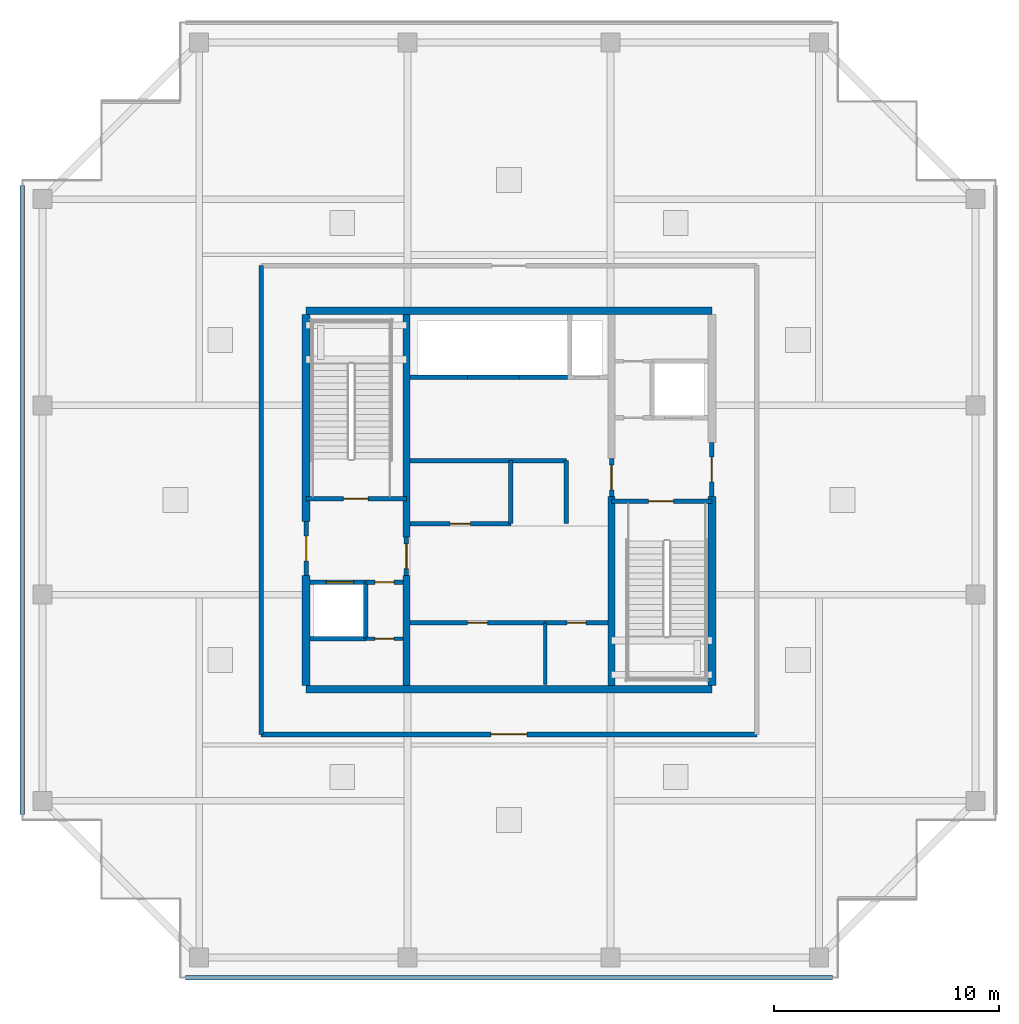
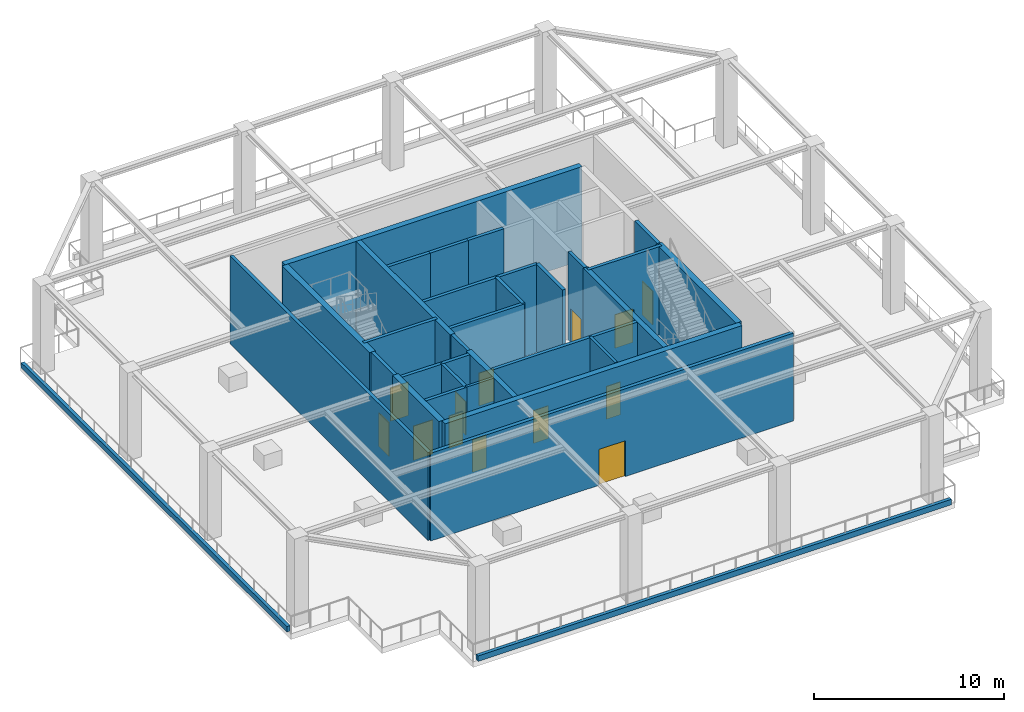
# One storey, part 2 of 10: 33 walls, 13 doors, 13 openings.
"""IFC4 building model written with IfcOpenShell, lengths in metres."""

from ifc_helpers import new_model, si_unit, direction, frame, frame_2d, origin, place, context, subcontext, project, spatial, rectangle, extrude, source, transform, mapped, material, layer, layer_set, type_object, element, fill, save


model = new_model("IFC4")

# Units and contexts
model_context = context("Model", 3, precision=1e-05, world=origin(), true_north=direction((0.0, 1.0)))
body_context = subcontext(model_context, "Body", "Model", "MODEL_VIEW")
ifc_project = project(units=[si_unit("LENGTHUNIT", "METRE"), si_unit("AREAUNIT", "SQUARE_METRE"), si_unit("VOLUMEUNIT", "CUBIC_METRE"), si_unit("PLANEANGLEUNIT", "RADIAN"), si_unit("MASSUNIT", "GRAM", prefix="KILO")], contexts=[model_context])

# Site, building, storey
site_placement = place(None, origin())
site = spatial("IfcSite", under=ifc_project, at=site_placement, CompositionType="ELEMENT")
building_placement = place(site_placement, origin())
building = spatial("IfcBuilding", under=site, at=building_placement, Name="Serunith Strait Residences", CompositionType="ELEMENT")
storey_placement = place(building_placement, frame((0.0, 0.0, 359.75)))
storey = spatial("IfcBuildingStorey", under=building, at=storey_placement, Name="L88", CompositionType="ELEMENT", Elevation=359.75)

# Wall, opening, door
ifc_material_1 = material(Name="Pale-Champagne Aluminium Insulated Panel", Category="aluminium")
ifc_layer_1 = layer(ifc_material_1, 0.219970703125, Name="Pale-Champagne Aluminium Insulated Panel")
ifc_layer_set_1 = layer_set([ifc_layer_1], Name="Pale-Champagne Aluminium Insulated Panel")
wall_type_1 = type_object("IfcWallType", Name="EW-ALUM-220", PredefinedType="ELEMENTEDWALL", material=ifc_layer_set_1)
wall_1_placement = place(storey_placement, frame((21.39990234375, 14.800048828125, 0.0), z_axis=(0.0, 0.0, 1.0), x_axis=(1.0, 0.0, 0.0)))
wall_1 = element("IfcWall", 1, at=wall_1_placement, inside=storey, type_object=wall_type_1, Name="L88 Sky-Garden Conservatory Threshold Wall", PredefinedType="ELEMENTEDWALL", context=body_context, shape_type="SweptSolid", body=[
    extrude(rectangle(XDim=22.0, YDim=0.219970703125, at=frame_2d((11.0, 0.0))), origin(), (0.0, 0.0, 1.0), 5.625),
])
opening_1_placement = place(wall_1_placement, frame((10.199951171875, 0.0, 0.0)))
opening_1 = element("IfcOpeningElement", 2, at=opening_1_placement, cuts=wall_1, Name="Opening ED-06", PredefinedType="OPENING", context=body_context, shape_type="SweptSolid", body=[
    extrude(rectangle(XDim=1.60009765625, YDim=2.300048828125, at=frame_2d((0.800048828125, 1.14990234375))), frame((0.0, 0.1201171875, 0.0), z_axis=(0.0, -1.0, 0.0), x_axis=(1.0, 0.0, 0.0)), (0.0, 0.0, 1.0), 0.239990234375),
])
ifc_material_2 = material(Name="Aluminium Sky-Garden Terrace Double Door", Category="aluminium")
door_type_1 = type_object("IfcDoorType", Name="ED-SKYG-1600", OperationType="NOTDEFINED", PredefinedType="DOOR", material=ifc_material_2)
shared_shape_1 = source(origin(), body_context, "Body", "SweptSolid", [
    extrude(rectangle(XDim=1.60009765625, YDim=2.300048828125, at=frame_2d((0.800048828125, 1.14990234375))), frame((0.0, 0.02490234375, 0.0), z_axis=(0.0, -1.0, 0.0), x_axis=(1.0, 0.0, 0.0)), (0.0, 0.0, 1.0), 0.050048828125),
])
door_1_placement = place(opening_1_placement, origin())
door_1 = element("IfcDoor", 3, at=door_1_placement, inside=storey, type_object=door_type_1, Name="Sky-Garden Terrace Access Double Door", OperationType="DOUBLE_DOOR_SINGLE_SWING", OverallHeight=2.300048828125, OverallWidth=1.60009765625, PredefinedType="DOOR", context=body_context, shape_type="MappedRepresentation", body=[
    mapped(shared_shape_1, transform((0.0, 0.0, 0.0), scale=1.0)),
])
fill(opening_1, door_1)

# Walls
ifc_material_3 = material(Name="Concrete C50/60", Category="concrete")
ifc_layer_2 = layer(ifc_material_3, 0.199951171875, Name="Concrete C50/60")
ifc_layer_set_2 = layer_set([ifc_layer_2], Name="Concrete C50/60")
wall_type_2 = type_object("IfcWallType", Name="EW-PARAPET-200", PredefinedType="PARAPET", material=ifc_layer_set_2)
wall_2_placement = place(storey_placement, frame((18.050048828125, 4.0, 0.0), z_axis=(0.0, 0.0, 1.0), x_axis=(1.0, 0.0, 0.0)))
element("IfcWall", 4, at=wall_2_placement, inside=storey, type_object=wall_type_2, Name="Sky-Garden Planter Curb Parapet 1", PredefinedType="PARAPET", context=body_context, shape_type="SweptSolid", body=[
    extrude(rectangle(XDim=28.699951171875, YDim=0.199951171875, at=frame_2d((14.35009765625, 0.0))), origin(), (0.0, 0.0, 1.0), 0.35009765625),
])
wall_3_placement = place(storey_placement, frame((10.800048828125, 39.14990234375, 0.0), z_axis=(0.0, 0.0, 1.0), x_axis=(0.0, -1.0, 0.0)))
element("IfcWall", 5, at=wall_3_placement, inside=storey, type_object=wall_type_2, Name="Sky-Garden Planter Curb Parapet 4", PredefinedType="PARAPET", context=body_context, shape_type="SweptSolid", body=[
    extrude(rectangle(XDim=27.89990234375, YDim=0.199951171875, at=frame_2d((13.949951171875, 0.0))), origin(), (0.0, 0.0, 1.0), 0.35009765625),
])

# Wall, opening, door
ifc_material_4 = material(Name="Fire-rated masonry service closet wall", Category="masonry")
ifc_layer_3 = layer(ifc_material_4, 0.14990234375, Name="Fire-rated masonry service closet wall")
ifc_layer_set_3 = layer_set([ifc_layer_3], Name="Fire-rated masonry service closet wall")
wall_type_3 = type_object("IfcWallType", Name="IW-BOH-150", PredefinedType="PARTITIONING", material=ifc_layer_set_3)
wall_4_placement = place(storey_placement, frame((26.052001953125, 19.050048828125, 0.0), z_axis=(0.0, 0.0, 1.0), x_axis=(1.0, 0.0, 0.0)))
wall_4 = element("IfcWall", 6, at=wall_4_placement, inside=storey, type_object=wall_type_3, Name="L88 Partition Wall 011", PredefinedType="PARTITIONING", context=body_context, shape_type="SweptSolid", body=[
    extrude(rectangle(XDim=1.64794921875, YDim=0.14990234375, at=frame_2d((0.823974609375, 0.0))), origin(), (0.0, 0.0, 1.0), 5.639892578125),
])
opening_2_placement = place(wall_4_placement, frame((0.39892578125, 0.0, 0.0)))
opening_2 = element("IfcOpeningElement", 7, at=opening_2_placement, cuts=wall_4, Name="Opening FD-850", PredefinedType="OPENING", context=body_context, shape_type="SweptSolid", body=[
    extrude(rectangle(XDim=0.85009765625, YDim=2.10009765625, at=frame_2d((0.425048828125, 1.050048828125))), frame((0.0, 0.0849609375, 0.0), z_axis=(0.0, -1.0, 0.0), x_axis=(1.0, 0.0, 0.0)), (0.0, 0.0, 1.0), 0.169921875),
])
ifc_material_5 = material(Name="Powder-coated steel service closet door", Category="steel")
door_type_2 = type_object("IfcDoorType", Name="FD-BOH-850", OperationType="NOTDEFINED", PredefinedType="DOOR", material=ifc_material_5)
shared_shape_2 = source(origin(), body_context, "Body", "SweptSolid", [
    extrude(rectangle(XDim=0.85009765625, YDim=2.10009765625, at=frame_2d((0.425048828125, 1.050048828125))), frame((0.0, 0.02490234375, 0.0), z_axis=(0.0, -1.0, 0.0), x_axis=(1.0, 0.0, 0.0)), (0.0, 0.0, 1.0), 0.050048828125),
])
door_2_placement = place(opening_2_placement, origin())
door_2 = element("IfcDoor", 8, at=door_2_placement, inside=storey, type_object=door_type_2, Name="L88 Water Meter Door", OperationType="SINGLE_SWING_RIGHT", OverallHeight=2.10009765625, OverallWidth=0.85009765625, PredefinedType="DOOR", context=body_context, shape_type="MappedRepresentation", body=[
    mapped(shared_shape_2, transform((0.0, 0.0, 0.0), scale=1.0)),
])
fill(opening_2, door_2)

# Wall
wall_5_placement = place(storey_placement, frame((34.0, 17.02001953125, 0.0), z_axis=(0.0, 0.0, 1.0), x_axis=(0.0, 1.0, 0.0)))
element("IfcWall", 9, at=wall_5_placement, inside=storey, type_object=wall_type_3, Name="L88 Partition Wall 015", PredefinedType="PARTITIONING", context=body_context, shape_type="SweptSolid", body=[
    extrude(rectangle(XDim=2.72998046875, YDim=0.14990234375, at=frame_2d((1.364990234375, 0.0))), origin(), (0.0, 0.0, 1.0), 5.639892578125),
])

# Wall, opening, door
ifc_material_6 = material(Name="Autoclaved aerated concrete blockwork", Category="masonry")
ifc_layer_4 = layer(ifc_material_6, 0.199951171875, Name="Autoclaved aerated concrete blockwork")
ifc_layer_set_4 = layer_set([ifc_layer_4], Name="Autoclaved aerated concrete blockwork")
wall_type_4 = type_object("IfcWallType", Name="IW-SHAFT-200", PredefinedType="STANDARD", material=ifc_layer_set_4)
wall_6_placement = place(storey_placement, frame((23.39990234375, 25.25, 0.0), z_axis=(0.0, 0.0, 1.0), x_axis=(1.0, 0.0, 0.0)))
wall_6 = element("IfcWall", 10, at=wall_6_placement, inside=storey, type_object=wall_type_4, Name="L88 ST-1 South Shaft Wall", PredefinedType="STANDARD", context=body_context, shape_type="SweptSolid", body=[
    extrude(rectangle(XDim=4.4501953125, YDim=0.199951171875, at=frame_2d((2.22509765625, 0.0))), origin(), (0.0, 0.0, 1.0), 5.639892578125),
])
opening_3_placement = place(wall_6_placement, frame((1.64990234375, 0.0, 0.0)))
opening_3 = element("IfcOpeningElement", 11, at=opening_3_placement, cuts=wall_6, Name="Opening FD-1100", PredefinedType="OPENING", context=body_context, shape_type="SweptSolid", body=[
    extrude(rectangle(XDim=1.10009765625, YDim=2.14990234375, at=frame_2d((0.550048828125, 1.074951171875))), frame((0.0, 0.10986328125, 0.0), z_axis=(0.0, -1.0, 0.0), x_axis=(1.0, 0.0, 0.0)), (0.0, 0.0, 1.0), 0.219970703125),
])
ifc_material_7 = material(Name="Galvanised steel fire door leaf", Category="steel")
door_type_3 = type_object("IfcDoorType", Name="FD-STAIR-1100", OperationType="NOTDEFINED", PredefinedType="DOOR", material=ifc_material_7)
shared_shape_3 = source(origin(), body_context, "Body", "SweptSolid", [
    extrude(rectangle(XDim=1.10009765625, YDim=2.14990234375, at=frame_2d((0.550048828125, 1.074951171875))), frame((0.0, 0.02490234375, 0.0), z_axis=(0.0, -1.0, 0.0), x_axis=(1.0, 0.0, 0.0)), (0.0, 0.0, 1.0), 0.050048828125),
])
door_3_placement = place(opening_3_placement, origin())
door_3 = element("IfcDoor", 12, at=door_3_placement, inside=storey, type_object=door_type_3, Name="L88 ST-1 Escape Stair Door", OperationType="SINGLE_SWING_RIGHT", OverallHeight=2.14990234375, OverallWidth=1.10009765625, PredefinedType="DOOR", context=body_context, shape_type="MappedRepresentation", body=[
    mapped(shared_shape_3, transform((0.0, 0.0, 0.0), scale=1.0)),
])
fill(opening_3, door_3)

wall_7_placement = place(storey_placement, frame((36.949951171875, 25.14990234375, 0.0), z_axis=(0.0, 0.0, 1.0), x_axis=(1.0, 0.0, 0.0)))
wall_7 = element("IfcWall", 13, at=wall_7_placement, inside=storey, type_object=wall_type_4, Name="L88 ST-2 North Shaft Wall", PredefinedType="STANDARD", context=body_context, shape_type="SweptSolid", body=[
    extrude(rectangle(XDim=4.449951171875, YDim=0.199951171875, at=frame_2d((2.22509765625, 0.0))), origin(), (0.0, 0.0, 1.0), 5.639892578125),
])
opening_4_placement = place(wall_7_placement, frame((1.64990234375, 0.0, 0.0)))
opening_4 = element("IfcOpeningElement", 14, at=opening_4_placement, cuts=wall_7, Name="Opening FD-1100", PredefinedType="OPENING", context=body_context, shape_type="SweptSolid", body=[
    extrude(rectangle(XDim=1.10009765625, YDim=2.14990234375, at=frame_2d((0.550048828125, 1.074951171875))), frame((0.0, 0.10986328125, 0.0), z_axis=(0.0, -1.0, 0.0), x_axis=(1.0, 0.0, 0.0)), (0.0, 0.0, 1.0), 0.219970703125),
])
door_4_placement = place(opening_4_placement, origin())
door_4 = element("IfcDoor", 15, at=door_4_placement, inside=storey, type_object=door_type_3, Name="L88 ST-2 Escape Stair Door", OperationType="SINGLE_SWING_LEFT", OverallHeight=2.14990234375, OverallWidth=1.10009765625, PredefinedType="DOOR", context=body_context, shape_type="MappedRepresentation", body=[
    mapped(shared_shape_3, transform((0.0, 0.0, 0.0), scale=1.0)),
])
fill(opening_4, door_4)

wall_8_placement = place(storey_placement, frame((23.574951171875, 21.550048828125, 0.0), z_axis=(0.0, 0.0, 1.0), x_axis=(1.0, 0.0, 0.0)))
wall_8 = element("IfcWall", 16, at=wall_8_placement, inside=storey, type_object=wall_type_4, Name="L88 FL-1 North Shaft Wall", PredefinedType="STANDARD", context=body_context, shape_type="SweptSolid", body=[
    extrude(rectangle(XDim=2.47509765625, YDim=0.199951171875, at=frame_2d((1.237548828125, 0.0))), origin(), (0.0, 0.0, 1.0), 5.639892578125),
])
opening_5_placement = place(wall_8_placement, frame((0.72509765625, 0.0, 0.0)))
opening_5 = element("IfcOpeningElement", 17, at=opening_5_placement, cuts=wall_8, Name="Opening LD-FF1200", PredefinedType="OPENING", context=body_context, shape_type="SweptSolid", body=[
    extrude(rectangle(XDim=1.199951171875, YDim=2.199951171875, at=frame_2d((0.60009765625, 1.10009765625))), frame((0.0, 0.10986328125, 0.0), z_axis=(0.0, -1.0, 0.0), x_axis=(1.0, 0.0, 0.0)), (0.0, 0.0, 1.0), 0.219970703125),
])
ifc_material_8 = material(Name="Brushed stainless steel landing door", Category="steel")
door_type_4 = type_object("IfcDoorType", Name="LD-FF-1200", OperationType="DOUBLE_DOOR_SLIDING", PredefinedType="DOOR", material=ifc_material_8)
shared_shape_4 = source(origin(), body_context, "Body", "SweptSolid", [
    extrude(rectangle(XDim=1.199951171875, YDim=2.199951171875, at=frame_2d((0.60009765625, 1.10009765625))), frame((0.0, 0.02490234375, 0.0), z_axis=(0.0, -1.0, 0.0), x_axis=(1.0, 0.0, 0.0)), (0.0, 0.0, 1.0), 0.050048828125),
])
door_5_placement = place(opening_5_placement, origin())
door_5 = element("IfcDoor", 18, at=door_5_placement, inside=storey, type_object=door_type_4, Name="L88 FL-1 Landing Door", OperationType="DOUBLE_DOOR_SLIDING", OverallHeight=2.199951171875, OverallWidth=1.199951171875, PredefinedType="DOOR", context=body_context, shape_type="MappedRepresentation", body=[
    mapped(shared_shape_4, transform((0.0, 0.0, 0.0), scale=1.0)),
])
fill(opening_5, door_5)

# Walls
wall_9_placement = place(storey_placement, frame((28.0, 30.64990234375, 0.0), z_axis=(0.0, 0.0, 1.0), x_axis=(1.0, 0.0, 0.0)))
element("IfcWall", 19, at=wall_9_placement, inside=storey, type_object=wall_type_4, Name="L88 PL-7 South Shaft Wall", PredefinedType="STANDARD", context=body_context, shape_type="SweptSolid", body=[
    extrude(rectangle(XDim=2.550048828125, YDim=0.199951171875, at=frame_2d((1.27490234375, 0.0))), origin(), (0.0, 0.0, 1.0), 5.639892578125),
])
wall_10_placement = place(storey_placement, frame((30.550048828125, 30.64990234375, 0.0), z_axis=(0.0, 0.0, 1.0), x_axis=(1.0, 0.0, 0.0)))
element("IfcWall", 20, at=wall_10_placement, inside=storey, type_object=wall_type_4, Name="L88 PL-8 South Shaft Wall", PredefinedType="STANDARD", context=body_context, shape_type="SweptSolid", body=[
    extrude(rectangle(XDim=2.300048828125, YDim=0.199951171875, at=frame_2d((1.14990234375, 0.0))), origin(), (0.0, 0.0, 1.0), 5.639892578125),
])
wall_11_placement = place(storey_placement, frame((32.85009765625, 30.64990234375, 0.0), z_axis=(0.0, 0.0, 1.0), x_axis=(1.0, 0.0, 0.0)))
element("IfcWall", 21, at=wall_11_placement, inside=storey, type_object=wall_type_4, Name="L88 PL-9 South Shaft Wall", PredefinedType="STANDARD", context=body_context, shape_type="SweptSolid", body=[
    extrude(rectangle(XDim=2.14990234375, YDim=0.199951171875, at=frame_2d((1.074951171875, 0.0))), origin(), (0.0, 0.0, 1.0), 5.639892578125),
])
wall_12_placement = place(storey_placement, frame((26.050048828125, 19.050048828125, 0.0), z_axis=(0.0, 0.0, 1.0), x_axis=(0.0, 1.0, 0.0)))
element("IfcWall", 22, at=wall_12_placement, inside=storey, type_object=wall_type_4, Name="L88 Partition Wall 001", PredefinedType="STANDARD", context=body_context, shape_type="SweptSolid", body=[
    extrude(rectangle(XDim=2.5, YDim=0.199951171875, at=frame_2d((1.25, 0.0))), origin(), (0.0, 0.0, 1.0), 5.639892578125),
])
wall_13_placement = place(storey_placement, frame((23.574951171875, 19.050048828125, 0.0), z_axis=(0.0, 0.0, 1.0), x_axis=(1.0, 0.0, 0.0)))
element("IfcWall", 23, at=wall_13_placement, inside=storey, type_object=wall_type_4, Name="L88 Partition Wall 002", PredefinedType="STANDARD", context=body_context, shape_type="SweptSolid", body=[
    extrude(rectangle(XDim=2.47509765625, YDim=0.199951171875, at=frame_2d((1.237548828125, 0.0))), origin(), (0.0, 0.0, 1.0), 5.639892578125),
])

# Wall, opening, door
wall_14_placement = place(storey_placement, frame((26.052001953125, 21.550048828125, 0.0), z_axis=(0.0, 0.0, 1.0), x_axis=(1.0, 0.0, 0.0)))
wall_14 = element("IfcWall", 24, at=wall_14_placement, inside=storey, type_object=wall_type_4, Name="L88 Partition Wall 003", PredefinedType="STANDARD", context=body_context, shape_type="SweptSolid", body=[
    extrude(rectangle(XDim=1.64794921875, YDim=0.199951171875, at=frame_2d((0.823974609375, 0.0))), origin(), (0.0, 0.0, 1.0), 5.639892578125),
])
opening_6_placement = place(wall_14_placement, frame((0.39892578125, 0.0, 0.0)))
opening_6 = element("IfcOpeningElement", 25, at=opening_6_placement, cuts=wall_14, Name="Opening FD-850", PredefinedType="OPENING", context=body_context, shape_type="SweptSolid", body=[
    extrude(rectangle(XDim=0.85009765625, YDim=2.10009765625, at=frame_2d((0.425048828125, 1.050048828125))), frame((0.0, 0.10986328125, 0.0), z_axis=(0.0, -1.0, 0.0), x_axis=(1.0, 0.0, 0.0)), (0.0, 0.0, 1.0), 0.219970703125),
])
door_6_placement = place(opening_6_placement, origin())
door_6 = element("IfcDoor", 26, at=door_6_placement, inside=storey, type_object=door_type_2, Name="L88 South-West Core Service Door", OperationType="SINGLE_SWING_RIGHT", OverallHeight=2.10009765625, OverallWidth=0.85009765625, PredefinedType="DOOR", context=body_context, shape_type="MappedRepresentation", body=[
    mapped(shared_shape_2, transform((0.0, 0.0, 0.0), scale=1.0)),
])
fill(opening_6, door_6)

wall_15_placement = place(storey_placement, frame((23.39990234375, 21.85205078125, 0.0), z_axis=(0.0, 0.0, 1.0), x_axis=(0.0, 1.0, 0.0)))
wall_15 = element("IfcWall", 27, at=wall_15_placement, inside=storey, type_object=wall_type_4, Name="L88 Partition Wall 007", PredefinedType="STANDARD", context=body_context, shape_type="SweptSolid", body=[
    extrude(rectangle(XDim=2.39599609375, YDim=0.199951171875, at=frame_2d((1.197998046875, 0.0))), origin(), (0.0, 0.0, 1.0), 5.639892578125),
])
opening_7_placement = place(wall_15_placement, frame((0.64794921875, 0.0, 0.0)))
opening_7 = element("IfcOpeningElement", 28, at=opening_7_placement, cuts=wall_15, Name="Opening FD-FFL", PredefinedType="OPENING", context=body_context, shape_type="SweptSolid", body=[
    extrude(rectangle(XDim=1.10009765625, YDim=2.14990234375, at=frame_2d((0.550048828125, 1.074951171875))), frame((0.0, 0.10986328125, 0.0), z_axis=(0.0, -1.0, 0.0), x_axis=(1.0, 0.0, 0.0)), (0.0, 0.0, 1.0), 0.219970703125),
])
ifc_material_9 = material(Name="Glazed steel smoke-lobby fire door", Category="steel")
door_type_5 = type_object("IfcDoorType", Name="FD-FFL-1100", OperationType="NOTDEFINED", PredefinedType="DOOR", material=ifc_material_9)
door_7_placement = place(opening_7_placement, origin())
door_7 = element("IfcDoor", 29, at=door_7_placement, inside=storey, type_object=door_type_5, Name="L88 FFL-1 Corridor Fire Door", OperationType="SINGLE_SWING_RIGHT", OverallHeight=2.14990234375, OverallWidth=1.10009765625, PredefinedType="DOOR", context=body_context, shape_type="MappedRepresentation", body=[
    mapped(shared_shape_3, transform((0.0, 0.0, 0.0), scale=1.0)),
])
fill(opening_7, door_7)

wall_16_placement = place(storey_placement, frame((41.39990234375, 25.35205078125, 0.0), z_axis=(0.0, 0.0, 1.0), x_axis=(0.0, 1.0, 0.0)))
wall_16 = element("IfcWall", 30, at=wall_16_placement, inside=storey, type_object=wall_type_4, Name="L88 Partition Wall 008", PredefinedType="STANDARD", context=body_context, shape_type="SweptSolid", body=[
    extrude(rectangle(XDim=2.39599609375, YDim=0.199951171875, at=frame_2d((1.197998046875, 0.0))), origin(), (0.0, 0.0, 1.0), 5.639892578125),
])
opening_8_placement = place(wall_16_placement, frame((0.64794921875, 0.0, 0.0)))
opening_8 = element("IfcOpeningElement", 31, at=opening_8_placement, cuts=wall_16, Name="Opening FD-FFL", PredefinedType="OPENING", context=body_context, shape_type="SweptSolid", body=[
    extrude(rectangle(XDim=1.10009765625, YDim=2.14990234375, at=frame_2d((0.550048828125, 1.074951171875))), frame((0.0, 0.10986328125, 0.0), z_axis=(0.0, -1.0, 0.0), x_axis=(1.0, 0.0, 0.0)), (0.0, 0.0, 1.0), 0.219970703125),
])
door_8_placement = place(opening_8_placement, origin())
door_8 = element("IfcDoor", 32, at=door_8_placement, inside=storey, type_object=door_type_5, Name="L88 FFL-2 Corridor Fire Door", OperationType="SINGLE_SWING_LEFT", OverallHeight=2.14990234375, OverallWidth=1.10009765625, PredefinedType="DOOR", context=body_context, shape_type="MappedRepresentation", body=[
    mapped(shared_shape_3, transform((0.0, 0.0, 0.0), scale=1.0)),
])
fill(opening_8, door_8)

wall_17_placement = place(storey_placement, frame((27.85009765625, 21.85205078125, 0.0), z_axis=(0.0, 0.0, 1.0), x_axis=(0.0, 1.0, 0.0)))
wall_17 = element("IfcWall", 33, at=wall_17_placement, inside=storey, type_object=wall_type_4, Name="L88 Partition Wall 009", PredefinedType="STANDARD", context=body_context, shape_type="SweptSolid", body=[
    extrude(rectangle(XDim=1.696044921875, YDim=0.199951171875, at=frame_2d((0.84814453125, 0.0))), origin(), (0.0, 0.0, 1.0), 5.639892578125),
])
opening_9_placement = place(wall_17_placement, frame((0.298095703125, 0.0, 0.0)))
opening_9 = element("IfcOpeningElement", 34, at=opening_9_placement, cuts=wall_17, Name="Opening FD-FFL", PredefinedType="OPENING", context=body_context, shape_type="SweptSolid", body=[
    extrude(rectangle(XDim=1.10009765625, YDim=2.14990234375, at=frame_2d((0.550048828125, 1.074951171875))), frame((0.0, 0.10986328125, 0.0), z_axis=(0.0, -1.0, 0.0), x_axis=(1.0, 0.0, 0.0)), (0.0, 0.0, 1.0), 0.219970703125),
])
door_9_placement = place(opening_9_placement, origin())
door_9 = element("IfcDoor", 35, at=door_9_placement, inside=storey, type_object=door_type_5, Name="L88 FFL-1 Lift Lobby Door", OperationType="SINGLE_SWING_RIGHT", OverallHeight=2.14990234375, OverallWidth=1.10009765625, PredefinedType="DOOR", context=body_context, shape_type="MappedRepresentation", body=[
    mapped(shared_shape_3, transform((0.0, 0.0, 0.0), scale=1.0)),
])
fill(opening_9, door_9)

wall_18_placement = place(storey_placement, frame((36.949951171875, 25.35205078125, 0.0), z_axis=(0.0, 0.0, 1.0), x_axis=(0.0, 1.0, 0.0)))
wall_18 = element("IfcWall", 36, at=wall_18_placement, inside=storey, type_object=wall_type_4, Name="L88 Partition Wall 010", PredefinedType="STANDARD", context=body_context, shape_type="SweptSolid", body=[
    extrude(rectangle(XDim=1.696044921875, YDim=0.199951171875, at=frame_2d((0.84814453125, 0.0))), origin(), (0.0, 0.0, 1.0), 5.639892578125),
])
opening_10_placement = place(wall_18_placement, frame((0.298095703125, 0.0, 0.0)))
opening_10 = element("IfcOpeningElement", 37, at=opening_10_placement, cuts=wall_18, Name="Opening FD-FFL", PredefinedType="OPENING", context=body_context, shape_type="SweptSolid", body=[
    extrude(rectangle(XDim=1.10009765625, YDim=2.14990234375, at=frame_2d((0.550048828125, 1.074951171875))), frame((0.0, 0.10986328125, 0.0), z_axis=(0.0, -1.0, 0.0), x_axis=(1.0, 0.0, 0.0)), (0.0, 0.0, 1.0), 0.219970703125),
])
door_10_placement = place(opening_10_placement, origin())
door_10 = element("IfcDoor", 38, at=door_10_placement, inside=storey, type_object=door_type_5, Name="L88 FFL-2 Lift Lobby Door", OperationType="SINGLE_SWING_LEFT", OverallHeight=2.14990234375, OverallWidth=1.10009765625, PredefinedType="DOOR", context=body_context, shape_type="MappedRepresentation", body=[
    mapped(shared_shape_3, transform((0.0, 0.0, 0.0), scale=1.0)),
])
fill(opening_10, door_10)

wall_19_placement = place(storey_placement, frame((28.0, 19.75, 0.0), z_axis=(0.0, 0.0, 1.0), x_axis=(1.0, 0.0, 0.0)))
wall_19 = element("IfcWall", 39, at=wall_19_placement, inside=storey, type_object=wall_type_4, Name="L88 Partition Wall 013", PredefinedType="STANDARD", context=body_context, shape_type="SweptSolid", body=[
    extrude(rectangle(XDim=6.0, YDim=0.199951171875, at=frame_2d((3.0, 0.0))), origin(), (0.0, 0.0, 1.0), 5.639892578125),
])
opening_11_placement = place(wall_19_placement, frame((2.550048828125, 0.0, 0.0)))
opening_11 = element("IfcOpeningElement", 40, at=opening_11_placement, cuts=wall_19, Name="Opening FD-900", PredefinedType="OPENING", context=body_context, shape_type="SweptSolid", body=[
    extrude(rectangle(XDim=0.89990234375, YDim=2.10009765625, at=frame_2d((0.449951171875, 1.050048828125))), frame((0.0, 0.10986328125, 0.0), z_axis=(0.0, -1.0, 0.0), x_axis=(1.0, 0.0, 0.0)), (0.0, 0.0, 1.0), 0.219970703125),
])
ifc_material_10 = material(Name="Powder-coated steel riser door", Category="steel")
door_type_6 = type_object("IfcDoorType", Name="FD-BOH-900", OperationType="NOTDEFINED", PredefinedType="DOOR", material=ifc_material_10)
shared_shape_5 = source(origin(), body_context, "Body", "SweptSolid", [
    extrude(rectangle(XDim=0.89990234375, YDim=2.10009765625, at=frame_2d((0.449951171875, 1.050048828125))), frame((0.0, 0.02490234375, 0.0), z_axis=(0.0, -1.0, 0.0), x_axis=(1.0, 0.0, 0.0)), (0.0, 0.0, 1.0), 0.050048828125),
])
door_11_placement = place(opening_11_placement, origin())
door_11 = element("IfcDoor", 41, at=door_11_placement, inside=storey, type_object=door_type_6, Name="L88 Telecoms Comms Door", OperationType="SINGLE_SWING_RIGHT", OverallHeight=2.10009765625, OverallWidth=0.89990234375, PredefinedType="DOOR", context=body_context, shape_type="MappedRepresentation", body=[
    mapped(shared_shape_5, transform((0.0, 0.0, 0.0), scale=1.0)),
])
fill(opening_11, door_11)

wall_20_placement = place(storey_placement, frame((34.001953125, 19.75, 0.0), z_axis=(0.0, 0.0, 1.0), x_axis=(1.0, 0.0, 0.0)))
wall_20 = element("IfcWall", 42, at=wall_20_placement, inside=storey, type_object=wall_type_4, Name="L88 Partition Wall 014", PredefinedType="STANDARD", context=body_context, shape_type="SweptSolid", body=[
    extrude(rectangle(XDim=2.798095703125, YDim=0.199951171875, at=frame_2d((1.39892578125, 0.0))), origin(), (0.0, 0.0, 1.0), 5.639892578125),
])
opening_12_placement = place(wall_20_placement, frame((0.97412109375, 0.0, 0.0)))
opening_12 = element("IfcOpeningElement", 43, at=opening_12_placement, cuts=wall_20, Name="Opening FD-850", PredefinedType="OPENING", context=body_context, shape_type="SweptSolid", body=[
    extrude(rectangle(XDim=0.85009765625, YDim=2.10009765625, at=frame_2d((0.425048828125, 1.050048828125))), frame((0.0, 0.10986328125, 0.0), z_axis=(0.0, -1.0, 0.0), x_axis=(1.0, 0.0, 0.0)), (0.0, 0.0, 1.0), 0.219970703125),
])
door_12_placement = place(opening_12_placement, origin())
door_12 = element("IfcDoor", 44, at=door_12_placement, inside=storey, type_object=door_type_2, Name="L88 Floor Linen Closet Door", OperationType="SINGLE_SWING_LEFT", OverallHeight=2.10009765625, OverallWidth=0.85009765625, PredefinedType="DOOR", context=body_context, shape_type="MappedRepresentation", body=[
    mapped(shared_shape_2, transform((0.0, 0.0, 0.0), scale=1.0)),
])
fill(opening_12, door_12)

# Walls
wall_21_placement = place(storey_placement, frame((28.0, 26.949951171875, 0.0), z_axis=(0.0, 0.0, 1.0), x_axis=(1.0, 0.0, 0.0)))
element("IfcWall", 45, at=wall_21_placement, inside=storey, type_object=wall_type_4, Name="L88 Partition Wall 016", PredefinedType="STANDARD", context=body_context, shape_type="SweptSolid", body=[
    extrude(rectangle(XDim=6.949951171875, YDim=0.199951171875, at=frame_2d((3.47509765625, 0.0))), origin(), (0.0, 0.0, 1.0), 5.639892578125),
])
wall_22_placement = place(storey_placement, frame((34.949951171875, 24.14990234375, 0.0), z_axis=(0.0, 0.0, 1.0), x_axis=(0.0, 1.0, 0.0)))
element("IfcWall", 46, at=wall_22_placement, inside=storey, type_object=wall_type_4, Name="L88 Partition Wall 017", PredefinedType="STANDARD", context=body_context, shape_type="SweptSolid", body=[
    extrude(rectangle(XDim=2.800048828125, YDim=0.199951171875, at=frame_2d((1.39990234375, 0.0))), origin(), (0.0, 0.0, 1.0), 5.639892578125),
])

# Wall, opening, door
wall_23_placement = place(storey_placement, frame((28.0, 24.14990234375, 0.0), z_axis=(0.0, 0.0, 1.0), x_axis=(1.0, 0.0, 0.0)))
wall_23 = element("IfcWall", 47, at=wall_23_placement, inside=storey, type_object=wall_type_4, Name="L88 Partition Wall 018", PredefinedType="STANDARD", context=body_context, shape_type="SweptSolid", body=[
    extrude(rectangle(XDim=4.47998046875, YDim=0.199951171875, at=frame_2d((2.239990234375, 0.0))), origin(), (0.0, 0.0, 1.0), 5.639892578125),
])
opening_13_placement = place(wall_23_placement, frame((1.7900390625, 0.0, 0.0)))
opening_13 = element("IfcOpeningElement", 48, at=opening_13_placement, cuts=wall_23, Name="Opening FD-900", PredefinedType="OPENING", context=body_context, shape_type="SweptSolid", body=[
    extrude(rectangle(XDim=0.89990234375, YDim=2.10009765625, at=frame_2d((0.449951171875, 1.050048828125))), frame((0.0, 0.10986328125, 0.0), z_axis=(0.0, -1.0, 0.0), x_axis=(1.0, 0.0, 0.0)), (0.0, 0.0, 1.0), 0.219970703125),
])
door_13_placement = place(opening_13_placement, origin())
door_13 = element("IfcDoor", 49, at=door_13_placement, inside=storey, type_object=door_type_6, Name="L88 Equipment Store Door", OperationType="SINGLE_SWING_RIGHT", OverallHeight=2.10009765625, OverallWidth=0.89990234375, PredefinedType="DOOR", context=body_context, shape_type="MappedRepresentation", body=[
    mapped(shared_shape_5, transform((0.0, 0.0, 0.0), scale=1.0)),
])
fill(opening_13, door_13)

# Walls
wall_24_placement = place(storey_placement, frame((32.47998046875, 24.14990234375, 0.0), z_axis=(0.0, 0.0, 1.0), x_axis=(0.0, 1.0, 0.0)))
element("IfcWall", 50, at=wall_24_placement, inside=storey, type_object=wall_type_4, Name="L88 Partition Wall 019", PredefinedType="STANDARD", context=body_context, shape_type="SweptSolid", body=[
    extrude(rectangle(XDim=2.800048828125, YDim=0.199951171875, at=frame_2d((1.39990234375, 0.0))), origin(), (0.0, 0.0, 1.0), 5.639892578125),
])
wall_25_placement = place(storey_placement, frame((21.39990234375, 14.800048828125, 0.0), z_axis=(0.0, 0.0, 1.0), x_axis=(0.0, 1.0, 0.0)))
element("IfcWall", 51, at=wall_25_placement, inside=storey, type_object=wall_type_4, Name="L88 Partition Wall 021", PredefinedType="STANDARD", context=body_context, shape_type="SweptSolid", body=[
    extrude(rectangle(XDim=20.800048828125, YDim=0.199951171875, at=frame_2d((10.39990234375, 0.0))), origin(), (0.0, 0.0, 1.0), 5.639892578125),
])
ifc_material_11 = material(Name="Concrete C60/75", Category="concrete")
ifc_layer_5 = layer(ifc_material_11, 0.300048828125, Name="Concrete C60/75")
ifc_layer_set_5 = layer_set([ifc_layer_5], Name="Concrete C60/75")
wall_type_5 = type_object("IfcWallType", Name="SW-300-C60", PredefinedType="SHEAR", material=ifc_layer_set_5)
wall_26_placement = place(storey_placement, frame((27.85009765625, 16.97509765625, -0.360107421875), z_axis=(0.0, 0.0, 1.0), x_axis=(0.0, 1.0, 0.0)))
element("IfcWall", 52, at=wall_26_placement, inside=storey, type_object=wall_type_5, Name="L88 Core Internal West Web South Pier", PredefinedType="SHEAR", context=body_context, shape_type="SweptSolid", body=[
    extrude(rectangle(XDim=4.875, YDim=0.300048828125, at=frame_2d((2.4375, 0.0))), origin(), (0.0, 0.0, 1.0), 5.998046875),
])
wall_27_placement = place(storey_placement, frame((27.85009765625, 23.550048828125, -0.360107421875), z_axis=(0.0, 0.0, 1.0), x_axis=(0.0, 1.0, 0.0)))
element("IfcWall", 53, at=wall_27_placement, inside=storey, type_object=wall_type_5, Name="L88 Core Internal West Web North Pier", PredefinedType="SHEAR", context=body_context, shape_type="SweptSolid", body=[
    extrude(rectangle(XDim=9.875, YDim=0.300048828125, at=frame_2d((4.9375, 0.0))), origin(), (0.0, 0.0, 1.0), 5.998046875),
])
wall_28_placement = place(storey_placement, frame((36.949951171875, 16.97509765625, -0.360107421875), z_axis=(0.0, 0.0, 1.0), x_axis=(0.0, 1.0, 0.0)))
element("IfcWall", 54, at=wall_28_placement, inside=storey, type_object=wall_type_5, Name="L88 Core Internal East Web South Pier", PredefinedType="SHEAR", context=body_context, shape_type="SweptSolid", body=[
    extrude(rectangle(XDim=8.375, YDim=0.300048828125, at=frame_2d((4.1875, 0.0))), origin(), (0.0, 0.0, 1.0), 5.998046875),
])
ifc_layer_6 = layer(ifc_material_11, 0.35009765625, Name="Concrete C60/75")
ifc_layer_set_6 = layer_set([ifc_layer_6], Name="Concrete C60/75")
wall_type_6 = type_object("IfcWallType", Name="SW-350-C60", PredefinedType="SHEAR", material=ifc_layer_set_6)
for number, where, z_axis, x_axis, name in (
    (55, (23.39990234375, 16.800048828125, -0.360107421875), (0.0, 0.0, 1.0), (1.0, 0.0, 0.0), "L88 Core South Shear Wall"),
    (56, (41.39990234375, 33.60009765625, -0.360107421875), (0.0, 0.0, 1.0), (-1.0, 0.0, 0.0), "L88 Core North Shear Wall"),
):
    element("IfcWall", number, at=place(storey_placement, frame(where, z_axis=z_axis, x_axis=x_axis)), inside=storey, type_object=wall_type_6, Name=name, PredefinedType="SHEAR", context=body_context, shape_type="SweptSolid", body=[
        extrude(rectangle(XDim=18.0, YDim=0.35009765625, at=frame_2d((9.0, 0.0))), origin(), (0.0, 0.0, 1.0), 5.998046875),
    ])
wall_29_placement = place(storey_placement, frame((23.39990234375, 16.97509765625, -0.360107421875), z_axis=(0.0, 0.0, 1.0), x_axis=(0.0, 1.0, 0.0)))
element("IfcWall", 57, at=wall_29_placement, inside=storey, type_object=wall_type_6, Name="L88 Core West Shear Wall South Pier", PredefinedType="SHEAR", context=body_context, shape_type="SweptSolid", body=[
    extrude(rectangle(XDim=4.875, YDim=0.35009765625, at=frame_2d((2.4375, 0.0))), origin(), (0.0, 0.0, 1.0), 5.998046875),
])
wall_30_placement = place(storey_placement, frame((23.39990234375, 24.25, -0.360107421875), z_axis=(0.0, 0.0, 1.0), x_axis=(0.0, 1.0, 0.0)))
element("IfcWall", 58, at=wall_30_placement, inside=storey, type_object=wall_type_6, Name="L88 Core West Shear Wall North Pier", PredefinedType="SHEAR", context=body_context, shape_type="SweptSolid", body=[
    extrude(rectangle(XDim=9.175048828125, YDim=0.35009765625, at=frame_2d((4.58740234375, 0.0))), origin(), (0.0, 0.0, 1.0), 5.998046875),
])
wall_31_placement = place(storey_placement, frame((41.39990234375, 16.97509765625, -0.360107421875), z_axis=(0.0, 0.0, 1.0), x_axis=(0.0, 1.0, 0.0)))
element("IfcWall", 59, at=wall_31_placement, inside=storey, type_object=wall_type_6, Name="L88 Core East Shear Wall South Pier", PredefinedType="SHEAR", context=body_context, shape_type="SweptSolid", body=[
    extrude(rectangle(XDim=8.375, YDim=0.35009765625, at=frame_2d((4.1875, 0.0))), origin(), (0.0, 0.0, 1.0), 5.998046875),
])

save(model, "model.ifc")
